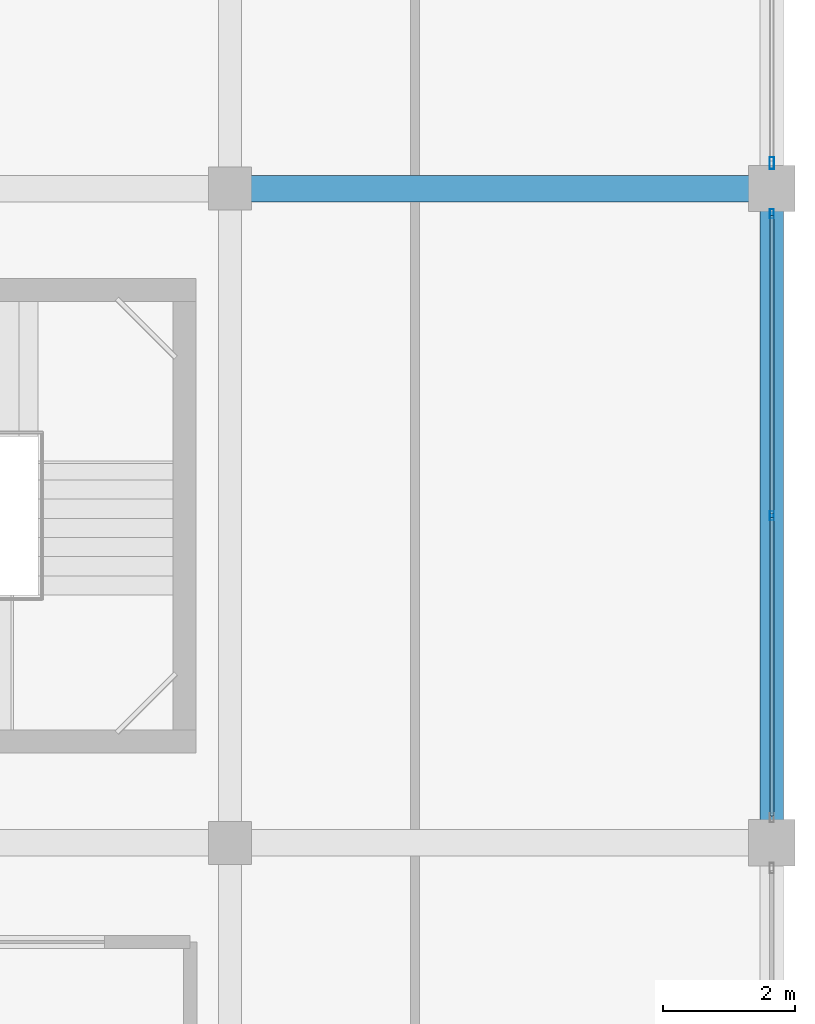
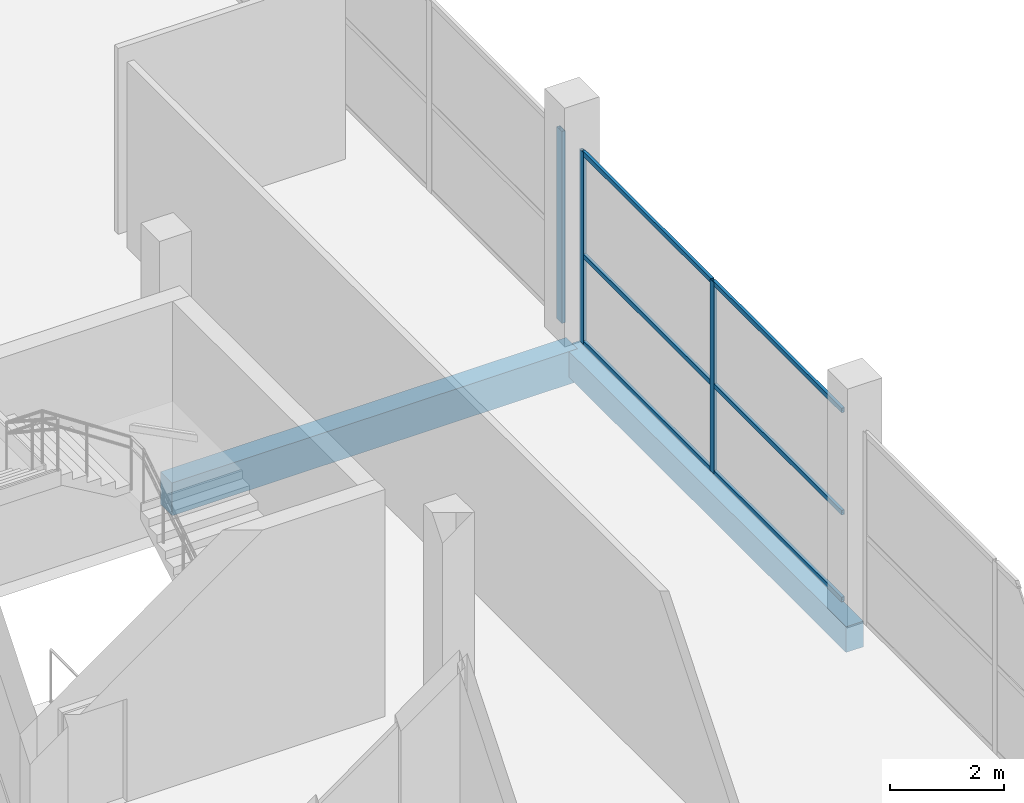
# One storey, part 34 of 67: 9 members, 2 beams, 2 elements without a shape of their own.
"""IFC4 building model written with IfcOpenShell, lengths in metres."""

from ifc_helpers import new_model, si_unit, direction, frame, origin, origin_2d, place, context, subcontext, project, spatial, rectangle, hollow_rectangle, extrude, material, layer, layer_set, material_profile, profile_set, type_object, element, aggregate, save


model = new_model("IFC4")

# Units and contexts
model_context = context("Model", 3, precision=1e-05, world=origin(), true_north=direction((0.0, 1.0)))
body_context = subcontext(model_context, "Body", "Model", "MODEL_VIEW")
ifc_project = project(units=[si_unit("LENGTHUNIT", "METRE"), si_unit("AREAUNIT", "SQUARE_METRE"), si_unit("VOLUMEUNIT", "CUBIC_METRE"), si_unit("PLANEANGLEUNIT", "RADIAN"), si_unit("MASSUNIT", "GRAM", prefix="KILO")], contexts=[model_context])

# Site, building, storey
site_placement = place(None, origin())
site = spatial("IfcSite", under=ifc_project, at=site_placement, CompositionType="ELEMENT")
building_placement = place(site_placement, origin())
building = spatial("IfcBuilding", under=site, at=building_placement, Name="Sillaruma Civic Art Gallery", CompositionType="ELEMENT")
storey_placement = place(building_placement, frame((0.0, 0.0, 46.919921875)))
storey = spatial("IfcBuildingStorey", under=building, at=storey_placement, Name="L09", CompositionType="ELEMENT", Elevation=46.919921875)

# Beams
ifc_material_1 = material(Name="Concrete H35 (35 MPa)", Category="concrete")
ifc_material_profile_1 = material_profile(ifc_material_1, rectangle(XDim=0.39990234375, YDim=0.699951171875, at=origin_2d()), Name="RCB400x700")
ifc_profile_set_1 = profile_set([ifc_material_profile_1], Name="Concrete H35 (35 MPa)")
beam_type_1 = type_object("IfcBeamType", Name="BM-BEAM-RCB400x700", PredefinedType="BEAM", material=ifc_profile_set_1)
beam_1_placement = place(storey_placement, frame((106.199951171875, 59.39990234375, -0.599853515625), z_axis=(1.0, 0.0, 0.0), x_axis=(0.0, 1.0, 0.0)))
element("IfcBeam", 1, at=beam_1_placement, inside=storey, type_object=beam_type_1, Name="Beam BM-04 (L08:7:M-N)", PredefinedType="BEAM", context=body_context, shape_type="SweptSolid", body=[
    extrude(rectangle(XDim=0.39990234375, YDim=0.699951171875, at=origin_2d()), origin(), (0.0, 0.0, 1.0), 8.199951171875),
])
ifc_material_profile_2 = material_profile(ifc_material_1, rectangle(XDim=0.35009765625, YDim=0.550048828125, at=origin_2d()), Name="RCB350x550")
ifc_profile_set_2 = profile_set([ifc_material_profile_2], Name="Concrete H35 (35 MPa)")
beam_type_2 = type_object("IfcBeamType", Name="BM-SPANDREL-RCB350x550", PredefinedType="SPANDREL", material=ifc_profile_set_2)
beam_2_placement = place(storey_placement, frame((114.39990234375, 49.5, -0.52490234375), z_axis=(0.0, 1.0, 0.0), x_axis=(-1.0, 0.0, 0.0)))
element("IfcBeam", 2, at=beam_2_placement, inside=storey, type_object=beam_type_2, Name="Beam BS-04 (L08:N:6-7)", PredefinedType="SPANDREL", context=body_context, shape_type="SweptSolid", body=[
    extrude(rectangle(XDim=0.35009765625, YDim=0.550048828125, at=origin_2d()), origin(), (0.0, 0.0, 1.0), 9.89990234375),
])

# Curtain wall, members
ifc_material_2 = material(Name="Thermally Broken Extruded Aluminium 6063-T6", Category="aluminium")
ifc_layer_1 = layer(ifc_material_2, 0.139892578125, Name="Thermally Broken Extruded Aluminium 6063-T6")
ifc_layer_set_1 = layer_set([ifc_layer_1], Name="Thermally Broken Extruded Aluminium 6063-T6")
curtain_wall_type_1 = type_object("IfcCurtainWallType", Name="CW-UNI-71", PredefinedType="NOTDEFINED", material=ifc_layer_set_1)
curtain_wall_1_placement = place(storey_placement, origin())
curtain_wall_1 = element("IfcCurtainWall", 3, at=curtain_wall_1_placement, inside=storey, type_object=curtain_wall_type_1, Name="Unitised Curtain Wall CW-71 (CW-L09-EBE-4)", PredefinedType="NOTDEFINED")
ifc_material_profile_3 = material_profile(ifc_material_2, hollow_rectangle(XDim=0.06005859375, YDim=0.139892578125, WallThickness=0.00341796875, at=origin_2d()), Name="CWM60x140")
ifc_profile_set_3 = profile_set([ifc_material_profile_3], Name="Thermally Broken Extruded Aluminium 6063-T6")
member_type_1 = type_object("IfcMemberType", Name="MEM-MUL-CWM60x140", PredefinedType="MULLION", material=ifc_profile_set_3)
member_1_placement = place(storey_placement, frame((114.39990234375, 54.449951171875, 0.0), z_axis=(0.0, 0.0, 1.0), x_axis=(-1.0, 0.0, 0.0)))
member_1 = element("IfcMember", 4, at=member_1_placement, type_object=member_type_1, Name="CW-71 mullion 2", PredefinedType="MULLION", context=body_context, shape_type="SweptSolid", body=[
    extrude(hollow_rectangle(XDim=0.06005859375, YDim=0.139892578125, WallThickness=0.00341796875, at=origin_2d()), origin(), (0.0, 0.0, 1.0), 4.10009765625),
])
member_2_placement = place(storey_placement, frame((114.39990234375, 59.02001953125, 0.0), z_axis=(0.0, 0.0, 1.0), x_axis=(-1.0, 0.0, 0.0)))
member_2 = element("IfcMember", 5, at=member_2_placement, type_object=member_type_1, Name="CW-71 mullion 3", PredefinedType="MULLION", context=body_context, shape_type="SweptSolid", body=[
    extrude(hollow_rectangle(XDim=0.06005859375, YDim=0.139892578125, WallThickness=0.00341796875, at=origin_2d()), origin(), (0.0, 0.0, 1.0), 4.10009765625),
])

# Curtain wall, member
ifc_layer_2 = layer(ifc_material_2, 0.179931640625, Name="Thermally Broken Extruded Aluminium 6063-T6")
ifc_layer_set_2 = layer_set([ifc_layer_2], Name="Thermally Broken Extruded Aluminium 6063-T6")
curtain_wall_type_2 = type_object("IfcCurtainWallType", Name="CW-UNI-72", PredefinedType="NOTDEFINED", material=ifc_layer_set_2)
curtain_wall_2_placement = place(storey_placement, origin())
curtain_wall_2 = element("IfcCurtainWall", 6, at=curtain_wall_2_placement, inside=storey, type_object=curtain_wall_type_2, Name="Unitised Curtain Wall CW-72 (CW-L09-EBE-5)", PredefinedType="NOTDEFINED")
ifc_material_profile_4 = material_profile(ifc_material_2, hollow_rectangle(XDim=0.070068359375, YDim=0.179931640625, WallThickness=0.00390625, at=origin_2d()), Name="CWM70x180")
ifc_profile_set_4 = profile_set([ifc_material_profile_4], Name="Thermally Broken Extruded Aluminium 6063-T6")
member_type_2 = type_object("IfcMemberType", Name="MEM-MUL-CWM70x180", PredefinedType="MULLION", material=ifc_profile_set_4)
member_3_placement = place(storey_placement, frame((114.39990234375, 59.784912109375, 0.0), z_axis=(0.0, 0.0, 1.0), x_axis=(-1.0, 0.0, 0.0)))
member_3 = element("IfcMember", 7, at=member_3_placement, type_object=member_type_2, Name="CW-72 mullion 1", PredefinedType="MULLION", context=body_context, shape_type="SweptSolid", body=[
    extrude(hollow_rectangle(XDim=0.070068359375, YDim=0.179931640625, WallThickness=0.00390625, at=origin_2d()), origin(), (0.0, 0.0, 1.0), 4.10009765625),
])
aggregate(curtain_wall_2, [member_3])

# Member
ifc_material_profile_5 = material_profile(ifc_material_2, hollow_rectangle(XDim=0.06005859375, YDim=0.10009765625, WallThickness=0.003173828125, at=origin_2d()), Name="CWT60x100")
ifc_profile_set_5 = profile_set([ifc_material_profile_5], Name="Thermally Broken Extruded Aluminium 6063-T6")
member_type_3 = type_object("IfcMemberType", Name="MEM-TRN-CWT60x100", PredefinedType="USERDEFINED", material=ifc_profile_set_5)
member_4_placement = place(storey_placement, frame((114.39990234375, 49.909912109375, 0.030029296875), z_axis=(0.0, 1.0, 0.0), x_axis=(-1.0, 0.0, 0.0)))
member_4 = element("IfcMember", 8, at=member_4_placement, type_object=member_type_3, Name="CW-71 transom 1.1", ObjectType="TRANSOM", PredefinedType="USERDEFINED", context=body_context, shape_type="SweptSolid", body=[
    extrude(hollow_rectangle(XDim=0.06005859375, YDim=0.10009765625, WallThickness=0.003173828125, at=origin_2d()), origin(), (0.0, 0.0, 1.0), 4.510009765625),
])

member_5_placement = place(storey_placement, frame((114.39990234375, 49.909912109375, 1.885986328125), z_axis=(0.0, 1.0, 0.0), x_axis=(-1.0, 0.0, 0.0)))
member_5 = element("IfcMember", 9, at=member_5_placement, type_object=member_type_3, Name="CW-71 transom 1.2", ObjectType="TRANSOM", PredefinedType="USERDEFINED", context=body_context, shape_type="SweptSolid", body=[
    extrude(hollow_rectangle(XDim=0.06005859375, YDim=0.10009765625, WallThickness=0.003173828125, at=origin_2d()), origin(), (0.0, 0.0, 1.0), 4.510009765625),
])

member_6_placement = place(storey_placement, frame((114.39990234375, 49.909912109375, 4.070068359375), z_axis=(0.0, 1.0, 0.0), x_axis=(-1.0, 0.0, 0.0)))
member_6 = element("IfcMember", 10, at=member_6_placement, type_object=member_type_3, Name="CW-71 transom 1.3", ObjectType="TRANSOM", PredefinedType="USERDEFINED", context=body_context, shape_type="SweptSolid", body=[
    extrude(hollow_rectangle(XDim=0.06005859375, YDim=0.10009765625, WallThickness=0.003173828125, at=origin_2d()), origin(), (0.0, 0.0, 1.0), 4.510009765625),
])

member_7_placement = place(storey_placement, frame((114.39990234375, 54.47998046875, 0.030029296875), z_axis=(0.0, 1.0, 0.0), x_axis=(-1.0, 0.0, 0.0)))
member_7 = element("IfcMember", 11, at=member_7_placement, type_object=member_type_3, Name="CW-71 transom 2.1", ObjectType="TRANSOM", PredefinedType="USERDEFINED", context=body_context, shape_type="SweptSolid", body=[
    extrude(hollow_rectangle(XDim=0.06005859375, YDim=0.10009765625, WallThickness=0.003173828125, at=origin_2d()), origin(), (0.0, 0.0, 1.0), 4.510009765625),
])

member_8_placement = place(storey_placement, frame((114.39990234375, 54.47998046875, 1.885986328125), z_axis=(0.0, 1.0, 0.0), x_axis=(-1.0, 0.0, 0.0)))
member_8 = element("IfcMember", 12, at=member_8_placement, type_object=member_type_3, Name="CW-71 transom 2.2", ObjectType="TRANSOM", PredefinedType="USERDEFINED", context=body_context, shape_type="SweptSolid", body=[
    extrude(hollow_rectangle(XDim=0.06005859375, YDim=0.10009765625, WallThickness=0.003173828125, at=origin_2d()), origin(), (0.0, 0.0, 1.0), 4.510009765625),
])

member_9_placement = place(storey_placement, frame((114.39990234375, 54.47998046875, 4.070068359375), z_axis=(0.0, 1.0, 0.0), x_axis=(-1.0, 0.0, 0.0)))
member_9 = element("IfcMember", 13, at=member_9_placement, type_object=member_type_3, Name="CW-71 transom 2.3", ObjectType="TRANSOM", PredefinedType="USERDEFINED", context=body_context, shape_type="SweptSolid", body=[
    extrude(hollow_rectangle(XDim=0.06005859375, YDim=0.10009765625, WallThickness=0.003173828125, at=origin_2d()), origin(), (0.0, 0.0, 1.0), 4.510009765625),
])

aggregate(curtain_wall_1, [member_1, member_2, member_4, member_5, member_6, member_7, member_8, member_9])

save(model, "model.ifc")
